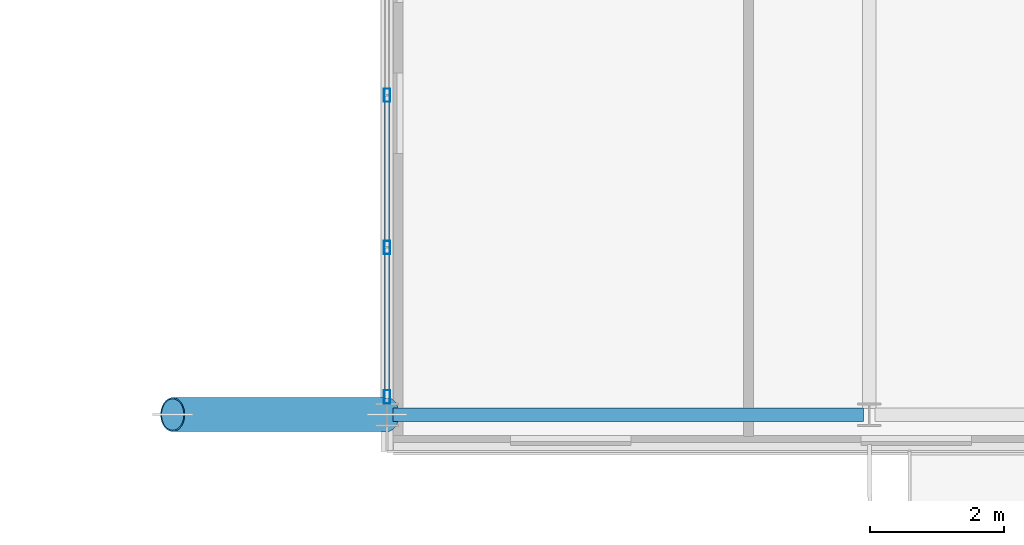
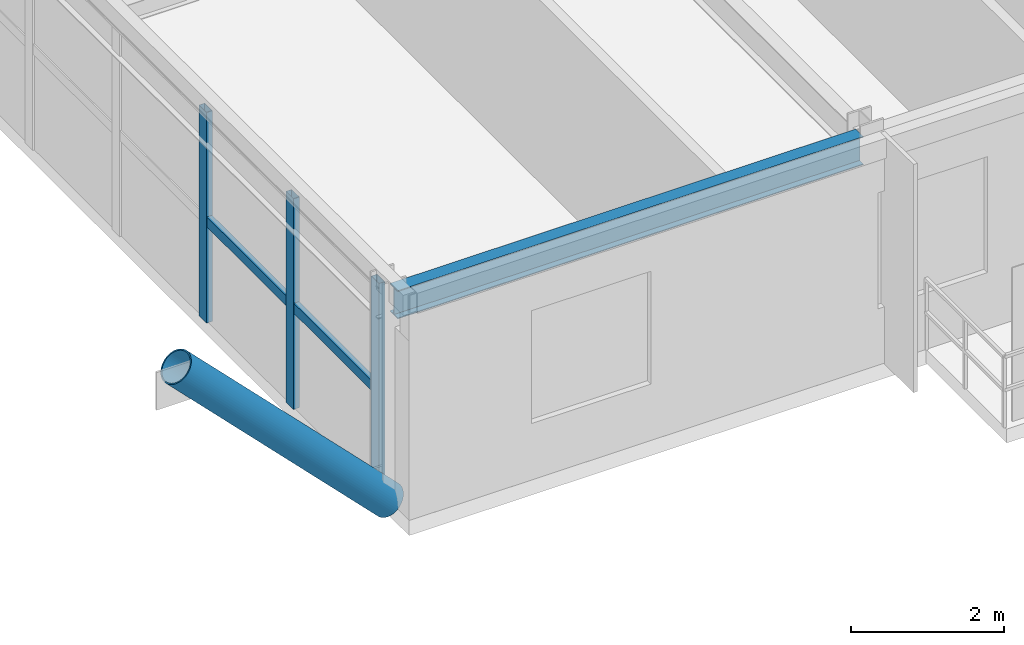
# One storey, part 10 of 35: 6 members, 1 beam, 1 element without a shape of its own.
"""IFC4 building model written with IfcOpenShell, lengths in metres."""

from ifc_helpers import new_model, si_unit, direction, frame, origin, origin_2d, place, context, subcontext, project, spatial, hollow_rectangle, hollow_circle, i_section, extrude, source, transform, mapped, material, material_profile, profile_set, type_object, element, aggregate, save


model = new_model("IFC4")

# Units and contexts
model_context = context("Model", 3, precision=1e-05, world=origin(), true_north=direction((0.0, 1.0)))
body_context = subcontext(model_context, "Body", "Model", "MODEL_VIEW")
ifc_project = project(units=[si_unit("LENGTHUNIT", "METRE"), si_unit("AREAUNIT", "SQUARE_METRE"), si_unit("VOLUMEUNIT", "CUBIC_METRE"), si_unit("PLANEANGLEUNIT", "RADIAN"), si_unit("MASSUNIT", "GRAM", prefix="KILO")], contexts=[model_context])

# Site, building, storey
site_placement = place(None, origin())
site = spatial("IfcSite", under=ifc_project, at=site_placement, CompositionType="ELEMENT")
building_placement = place(site_placement, origin())
building = spatial("IfcBuilding", under=site, at=building_placement, Name="Trelvane Seafront Commons", CompositionType="ELEMENT")
storey_placement = place(building_placement, frame((0.0, 0.0, 194.10009765625)))
storey = spatial("IfcBuildingStorey", under=building, at=storey_placement, Name="L50", CompositionType="ELEMENT", Elevation=194.10009765625)

# Beam
ifc_material_1 = material(Name="Steel SM355 (S355)", Category="steel")
ifc_material_profile_1 = material_profile(ifc_material_1, i_section(OverallWidth=0.199951171875, OverallDepth=0.449951171875, WebThickness=0.009033203125, FlangeThickness=0.013916015625, at=origin_2d()), Name="H-450x200x9x14")
ifc_profile_set_1 = profile_set([ifc_material_profile_1], Name="Steel SM355 (S355)")
beam_type = type_object("IfcBeamType", Name="STR-SPD-H450", PredefinedType="SPANDREL", material=ifc_profile_set_1)
shared_shape_1 = source(origin(), body_context, "Body", "SweptSolid", [
    extrude(i_section(OverallWidth=0.199951171875, OverallDepth=0.449951171875, WebThickness=0.009033203125, FlangeThickness=0.013916015625, at=origin_2d()), origin(), (0.0, 0.0, 1.0), 7.025146484375),
])
beam_placement = place(storey_placement, frame((43.887451171875, 3.949951171875, 3.135009765625), z_axis=(1.0, 0.0, 0.0), x_axis=(0.0, 1.0, 0.0)))
element("IfcBeam", 1, at=beam_placement, inside=storey, type_object=beam_type, Name="L50 Primary Girder G-05", PredefinedType="SPANDREL", context=body_context, shape_type="MappedRepresentation", body=[
    mapped(shared_shape_1, transform((0.0, 0.0, 0.0), x_axis=(1.0, 0.0, 0.0), y_axis=(0.0, 1.0, 0.0), z_axis=(0.0, 0.0, 1.0), scale=1.0)),
])

# Member
ifc_material_profile_2 = material_profile(ifc_material_1, hollow_circle(Radius=0.25390625, WallThickness=0.02001953125, at=origin_2d()), Name="CHS-508x20")
ifc_profile_set_2 = profile_set([ifc_material_profile_2], Name="Steel SM355 (S355)")
member_type_1 = type_object("IfcMemberType", Name="STR-STR-CHS508", PredefinedType="STRUT", material=ifc_profile_set_2)
shared_shape_2 = source(origin(), body_context, "Body", "SweptSolid", [
    extrude(hollow_circle(Radius=0.25390625, WallThickness=0.02001953125, at=origin_2d()), origin(), (0.0, 0.0, 1.0), 4.5537109375),
])
member_1_placement = place(storey_placement, frame((43.800048828125, 3.949951171875, 0.0), z_axis=(-0.702696903382, 0.0, 0.711489326679), x_axis=(0.0, -1.0, 0.0)))
element("IfcMember", 2, at=member_1_placement, inside=storey, type_object=member_type_1, Name="L50 Void-Portal V-Frame Strut VS-SE", PredefinedType="STRUT", context=body_context, shape_type="MappedRepresentation", body=[
    mapped(shared_shape_2, transform((0.0, 0.0, 0.0), x_axis=(1.0, 0.0, 0.0), y_axis=(0.0, 1.0, 0.0), z_axis=(0.0, 0.0, 1.0), scale=1.0)),
])

# Curtain wall, members
ifc_material_2 = material(Name="Anodised pale-silver aluminium", Category="aluminium")
curtain_wall_type = type_object("IfcCurtainWallType", Name="ARCH-CW3-PORTAL", PredefinedType="NOTDEFINED", material=ifc_material_2)
curtain_wall_placement = place(storey_placement, origin())
curtain_wall = element("IfcCurtainWall", 3, at=curtain_wall_placement, inside=storey, type_object=curtain_wall_type, Name="CW-L50-VP-0083", PredefinedType="NOTDEFINED")
ifc_material_profile_3 = material_profile(ifc_material_2, hollow_rectangle(XDim=0.090087890625, YDim=0.199951171875, WallThickness=0.0048828125, at=origin_2d()), Name="MULL-90x200x5")
ifc_profile_set_3 = profile_set([ifc_material_profile_3], Name="Anodised pale-silver aluminium")
member_type_2 = type_object("IfcMemberType", Name="ARCH-CW-MULL-200", PredefinedType="MULLION", material=ifc_profile_set_3)
shared_shape_3 = source(origin(), body_context, "Body", "SweptSolid", [
    extrude(hollow_rectangle(XDim=0.090087890625, YDim=0.199951171875, WallThickness=0.0048828125, at=origin_2d()), origin(), (0.0, 0.0, 1.0), 3.35986328125),
])
member_2_placement = place(storey_placement, frame((43.800048828125, 8.716796875, 0.0), z_axis=(0.0, 0.0, 1.0), x_axis=(1.0, 0.0, 0.0)))
member_2 = element("IfcMember", 4, at=member_2_placement, type_object=member_type_2, Name="CW-L50-VP-0083-M04", PredefinedType="MULLION", context=body_context, shape_type="MappedRepresentation", body=[
    mapped(shared_shape_3, transform((0.0, 0.0, 0.0), x_axis=(1.0, 0.0, 0.0), y_axis=(0.0, 1.0, 0.0), z_axis=(0.0, 0.0, 1.0), scale=1.0)),
])
member_3_placement = place(storey_placement, frame((43.800048828125, 6.44580078125, 0.0), z_axis=(0.0, 0.0, 1.0), x_axis=(1.0, 0.0, 0.0)))
member_3 = element("IfcMember", 5, at=member_3_placement, type_object=member_type_2, Name="CW-L50-VP-0083-M05", PredefinedType="MULLION", context=body_context, shape_type="MappedRepresentation", body=[
    mapped(shared_shape_3, transform((0.0, 0.0, 0.0), x_axis=(1.0, 0.0, 0.0), y_axis=(0.0, 1.0, 0.0), z_axis=(0.0, 0.0, 1.0), scale=1.0)),
])
member_4_placement = place(storey_placement, frame((43.800048828125, 4.215087890625, 0.0), z_axis=(0.0, 0.0, 1.0), x_axis=(1.0, 0.0, 0.0)))
member_4 = element("IfcMember", 6, at=member_4_placement, type_object=member_type_2, Name="CW-L50-VP-0083-M06", PredefinedType="MULLION", context=body_context, shape_type="MappedRepresentation", body=[
    mapped(shared_shape_3, transform((0.0, 0.0, 0.0), x_axis=(1.0, 0.0, 0.0), y_axis=(0.0, 1.0, 0.0), z_axis=(0.0, 0.0, 1.0), scale=1.0)),
])
ifc_material_profile_4 = material_profile(ifc_material_2, hollow_rectangle(XDim=0.080078125, YDim=0.159912109375, WallThickness=0.00439453125, at=origin_2d()), Name="TRAN-80x160x4.5")
ifc_profile_set_4 = profile_set([ifc_material_profile_4], Name="Anodised pale-silver aluminium")
member_type_3 = type_object("IfcMemberType", Name="ARCH-CW-TRAN-160", PredefinedType="USERDEFINED", material=ifc_profile_set_4)
shared_shape_4 = source(origin(), body_context, "Body", "SweptSolid", [
    extrude(hollow_rectangle(XDim=0.080078125, YDim=0.159912109375, WallThickness=0.00439453125, at=origin_2d()), origin(), (0.0, 0.0, 1.0), 2.246826171875),
])
member_5_placement = place(storey_placement, frame((43.800048828125, 8.70458984375, 1.61279296875), z_axis=(0.0, -1.0, 0.0), x_axis=(1.0, 0.0, 0.0)))
member_5 = element("IfcMember", 7, at=member_5_placement, type_object=member_type_3, Name="CW-L50-VP-0083-T04", ObjectType="TRANSOM", PredefinedType="USERDEFINED", context=body_context, shape_type="MappedRepresentation", body=[
    mapped(shared_shape_4, transform((0.0, 0.0, 0.0), x_axis=(1.0, 0.0, 0.0), y_axis=(0.0, 1.0, 0.0), z_axis=(0.0, 0.0, 1.0), scale=1.0)),
])
member_6_placement = place(storey_placement, frame((43.800048828125, 6.433837890625, 1.61279296875), z_axis=(0.0, -1.0, 0.0), x_axis=(1.0, 0.0, 0.0)))
member_6 = element("IfcMember", 8, at=member_6_placement, type_object=member_type_3, Name="CW-L50-VP-0083-T05", ObjectType="TRANSOM", PredefinedType="USERDEFINED", context=body_context, shape_type="MappedRepresentation", body=[
    mapped(shared_shape_4, transform((0.0, 0.0, 0.0), x_axis=(1.0, 0.0, 0.0), y_axis=(0.0, 1.0, 0.0), z_axis=(0.0, 0.0, 1.0), scale=1.0)),
])
aggregate(curtain_wall, [member_2, member_3, member_4, member_5, member_6])

save(model, "model.ifc")
